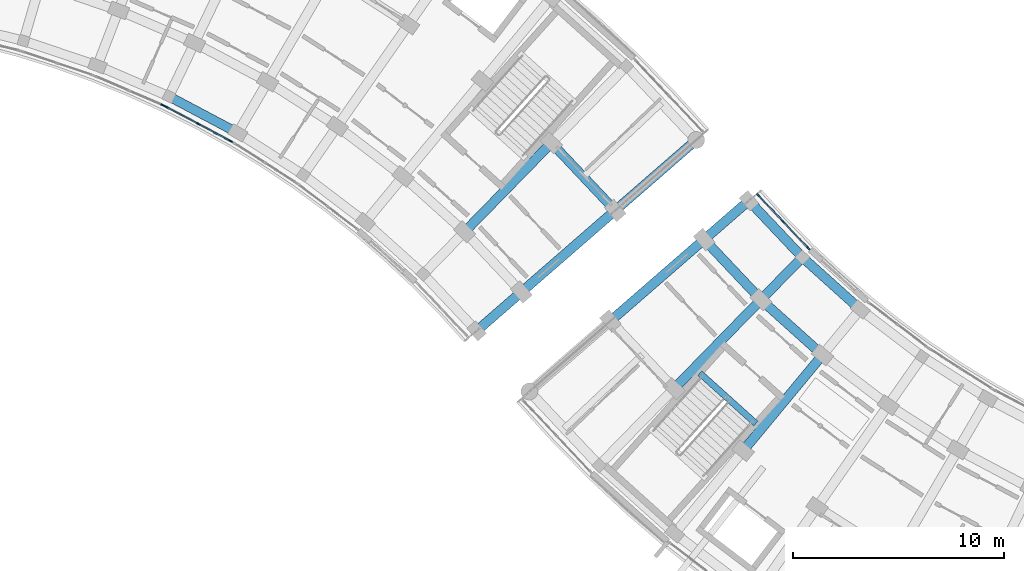
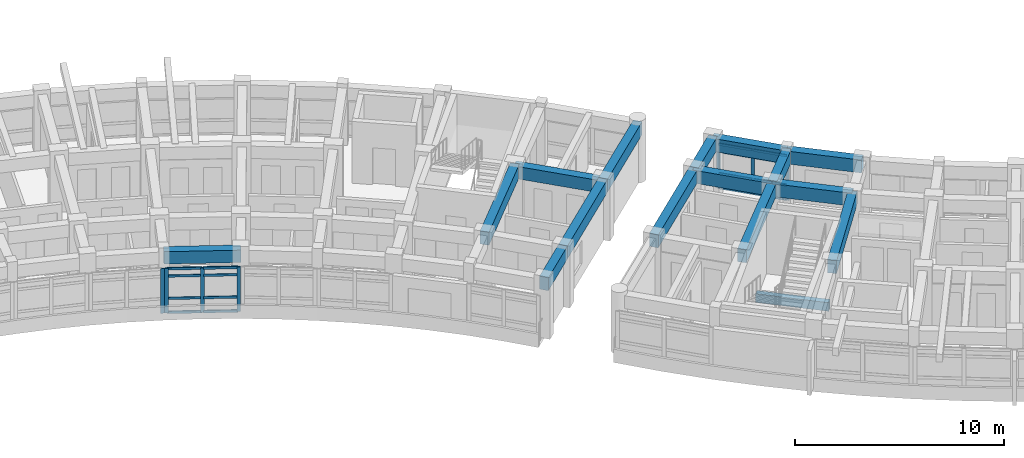
# One storey, part 30 of 83: 23 members, 16 beams, 3 elements without a shape of their own.
"""IFC4 building model written with IfcOpenShell, lengths in metres."""

import ifcopenshell
import ifcopenshell.guid

model = None  # the IFC model being written
_history = None  # IfcOwnerHistory: only IFC2X3 demands one
_inside = {}  # id of a spatial element -> (the spatial element, [elements in it])
_under = {}  # id of a project, library or spatial element -> (it, [spatial elements below it])
_declared = {}  # id of a project -> (the project, [libraries it declares])
_typed = {}  # id of a type object -> (the type object, [elements of that type])
_made_of = {}  # id of a material, layer set ... -> (it, [elements and type objects made of it])


def new_model(schema):
    """Start an empty IFC model of exactly this schema.

    Asked for "IFC4X3", IfcOpenShell would pick the latest addendum, in which some entities
    have other attributes; the version numbers below select the first issue.
    IFC2X3 requires an IfcOwnerHistory on every rooted entity: one is made here for all.
    """
    global model, _history
    if schema == "IFC4X3":
        model = ifcopenshell.file(schema_version=(4, 3, 0, 0))
    else:
        model = ifcopenshell.file(schema=schema)
    _inside.clear()
    _under.clear()
    _declared.clear()
    _typed.clear()
    _made_of.clear()
    _history = None
    if model.schema == "IFC2X3":
        org = make("IfcOrganization", Name="unknown")
        user = make(
            "IfcPersonAndOrganization",
            ThePerson=make("IfcPerson", FamilyName="unknown"),
            TheOrganization=org,
        )
        app = make(
            "IfcApplication",
            ApplicationDeveloper=org,
            Version="unknown",
            ApplicationFullName="unknown",
            ApplicationIdentifier="unknown",
        )
        _history = make(
            "IfcOwnerHistory",
            OwningUser=user,
            OwningApplication=app,
            ChangeAction="ADDED",
            CreationDate=0,
        )
    return model


def make(cls, **values):
    """One entity of the class cls with the attributes given. An attribute that is None is left unset."""
    return model.create_entity(
        cls, **{name: value for name, value in values.items() if value is not None}
    )


def rooted(cls, **values):
    """An entity with a GlobalId (a new one), such as an element, a storey or a relation."""
    return make(cls, GlobalId=ifcopenshell.guid.new(), OwnerHistory=_history, **values)


def si_unit(unit_type, name, prefix=None):
    """IfcSIUnit, for example si_unit("LENGTHUNIT", "METRE", prefix="MILLI")."""
    return make("IfcSIUnit", UnitType=unit_type, Prefix=prefix, Name=name)


def assignment(units):
    """IfcUnitAssignment: the units of a project."""
    return None if units is None else make("IfcUnitAssignment", Units=units)


def point(xyz):
    """IfcCartesianPoint."""
    return None if xyz is None else make("IfcCartesianPoint", Coordinates=xyz)


def direction(xyz):
    """IfcDirection."""
    return None if xyz is None else make("IfcDirection", DirectionRatios=xyz)


def frame(location, z_axis=None, x_axis=None):
    """IfcAxis2Placement3D, a coordinate frame: its origin and axes. An axis left out is left unset."""
    return make(
        "IfcAxis2Placement3D",
        Location=point(location),
        Axis=direction(z_axis),
        RefDirection=direction(x_axis),
    )


def frame_2d(location, x_axis=None):
    """IfcAxis2Placement2D, a coordinate frame in the plane: its origin and x axis."""
    return make(
        "IfcAxis2Placement2D", Location=point(location), RefDirection=direction(x_axis)
    )


def origin():
    """The frame at (0, 0, 0) with its axes left unset."""
    return frame((0.0, 0.0, 0.0))


def origin_2d():
    """The frame at (0, 0) in the plane with its x axis left unset."""
    return frame_2d((0.0, 0.0))


def place(relative_to, where):
    """IfcLocalPlacement: puts the frame where relative to a parent placement (None: the world)."""
    return make(
        "IfcLocalPlacement", PlacementRelTo=relative_to, RelativePlacement=where
    )


def context(
    kind, dimensions, precision=None, world=None, true_north=None, identifier=None
):
    """IfcGeometricRepresentationContext, for example the 3D "Model" context."""
    return make(
        "IfcGeometricRepresentationContext",
        ContextIdentifier=identifier,
        ContextType=kind,
        CoordinateSpaceDimension=dimensions,
        Precision=precision,
        WorldCoordinateSystem=world,
        TrueNorth=true_north,
    )


def subcontext(parent, identifier, kind, view, scale=None):
    """IfcGeometricRepresentationSubContext, for example "Body" below "Model"."""
    return make(
        "IfcGeometricRepresentationSubContext",
        ContextIdentifier=identifier,
        ContextType=kind,
        ParentContext=parent,
        TargetScale=scale,
        TargetView=view,
    )


def project(units=None, contexts=None):
    """IfcProject with its units and contexts."""
    return rooted(
        "IfcProject",
        Name="project",
        RepresentationContexts=contexts,
        UnitsInContext=assignment(units),
    )


def spatial(cls, under=None, at=None, **own):
    """A site, building, storey or space (cls), placed at a placement, below another one or the project."""
    s = rooted(cls, ObjectPlacement=at, **own)
    if under is not None:
        _under.setdefault(under.id(), (under, []))[1].append(s)
    return s


def profile(cls, at=None, kind="AREA", **sizes):
    """A parametric profile (cls). Its sizes go by their IFC names, for example OverallWidth=200.0."""
    return make(cls, ProfileType=kind, Position=at, **sizes)


def rectangle(**sizes):
    """IfcRectangleProfileDef."""
    return profile("IfcRectangleProfileDef", **sizes)


def extrude(swept, where, along, depth):
    """IfcExtrudedAreaSolid: the profile swept, set in the frame where, extruded along a direction by depth."""
    return make(
        "IfcExtrudedAreaSolid",
        SweptArea=swept,
        Position=where,
        ExtrudedDirection=direction(along),
        Depth=depth,
    )


def shape(context_of_items, identifier, shape_type, items):
    """IfcShapeRepresentation: the items that make up one representation, for example the "Body"."""
    return make(
        "IfcShapeRepresentation",
        ContextOfItems=context_of_items,
        RepresentationIdentifier=identifier,
        RepresentationType=shape_type,
        Items=items,
    )


def material(Name=None, Category=None):
    """IfcMaterial."""
    return make("IfcMaterial", Name=Name, Category=Category)


def material_profile(
    of_material, cross_section, Name=None, Category=None, Priority=None
):
    """IfcMaterialProfile: a cross section and its material."""
    return make(
        "IfcMaterialProfile",
        Name=Name,
        Material=of_material,
        Profile=cross_section,
        Priority=Priority,
        Category=Category,
    )


def profile_set(profiles, Name=None, composite=None):
    """IfcMaterialProfileSet."""
    return make(
        "IfcMaterialProfileSet",
        Name=Name,
        MaterialProfiles=profiles,
        CompositeProfile=composite,
    )


def made_of(thing, what):
    """Note that an element or type object is made of a material, layer set ...; save() writes the relation."""
    if what is not None:
        _made_of.setdefault(what.id(), (what, []))[1].append(thing)
    return thing


def type_object(cls, material=None, **own):
    """A type object (cls), such as IfcWallType, which elements share."""
    return made_of(rooted(cls, **own), material)


def element(
    cls,
    number,
    at=None,
    inside=None,
    cuts=None,
    type_object=None,
    material=None,
    context=None,
    identifier="Body",
    shape_type=None,
    held_by="IfcProductDefinitionShape",
    body=None,
    shapes=None,
    **own,
):
    """One element of the class cls, such as IfcWall. Its Tag is "e" and its number.

    at: its placement. inside: the storey or other place that contains it. cuts: it is an
    opening in that element (IfcRelVoidsElement). A single representation is given by context,
    identifier, shape_type and body (its items); several are given by shapes. held_by: the class
    of the entity that holds the representations. save() writes the other relations.
    """
    e = rooted(cls, Tag="e%d" % number, ObjectPlacement=at, **own)
    if body is not None:
        shapes = [shape(context, identifier, shape_type, body)]
    if shapes is not None:
        e.Representation = make(held_by, Representations=shapes)
    if inside is not None:
        _inside.setdefault(inside.id(), (inside, []))[1].append(e)
    if cuts is not None:
        rooted(
            "IfcRelVoidsElement", RelatingBuildingElement=cuts, RelatedOpeningElement=e
        )
    if type_object is not None:
        _typed.setdefault(type_object.id(), (type_object, []))[1].append(e)
    return made_of(e, material)


def aggregate(whole, parts):
    """IfcRelAggregates: a whole, such as a stair, and the parts it consists of."""
    return rooted("IfcRelAggregates", RelatingObject=whole, RelatedObjects=parts)


def save(model, path):
    """Write the relations noted so far, then the file.

    IfcRelAggregates (storeys below a building ...), IfcRelContainedInSpatialStructure (elements
    in a storey), IfcRelDefinesByType, IfcRelAssociatesMaterial and IfcRelDeclares: one each for
    every whole, place, type object, material and project.
    """
    for whole, parts in _under.values():
        aggregate(whole, parts)
    for where, things in _inside.values():
        rooted(
            "IfcRelContainedInSpatialStructure",
            RelatedElements=things,
            RelatingStructure=where,
        )
    for kind, things in _typed.values():
        rooted("IfcRelDefinesByType", RelatedObjects=things, RelatingType=kind)
    for what, things in _made_of.values():
        rooted("IfcRelAssociatesMaterial", RelatedObjects=things, RelatingMaterial=what)
    for by, libraries in _declared.values():
        rooted("IfcRelDeclares", RelatingContext=by, RelatedDefinitions=libraries)
    model.write(path)


model = new_model("IFC4")

# Units and contexts
model_context = context("Model", 3, precision=1e-05, world=origin(), true_north=direction((0.0, 1.0)))
body_context = subcontext(model_context, "Body", "Model", "MODEL_VIEW")
ifc_project = project(units=[si_unit("LENGTHUNIT", "METRE"), si_unit("AREAUNIT", "SQUARE_METRE"), si_unit("VOLUMEUNIT", "CUBIC_METRE"), si_unit("PLANEANGLEUNIT", "RADIAN"), si_unit("MASSUNIT", "GRAM", prefix="KILO")], contexts=[model_context])

# Site, building, storey
site_placement = place(None, origin())
site = spatial("IfcSite", under=ifc_project, at=site_placement, CompositionType="ELEMENT")
building_placement = place(site_placement, origin())
building = spatial("IfcBuilding", under=site, at=building_placement, Name="Zimvara Arc Housing Community", CompositionType="ELEMENT")
storey_placement = place(building_placement, frame((0.0, 0.0, 4.5)))
storey = spatial("IfcBuildingStorey", under=building, at=storey_placement, Name="L01", CompositionType="ELEMENT", Elevation=4.5)

# Beams
ifc_material_1 = material(Name="Concrete C40/50", Category="concrete")
ifc_material_profile_1 = material_profile(ifc_material_1, rectangle(XDim=0.300048828125, YDim=0.5, at=origin_2d()), Name="RC 300x500")
ifc_profile_set_1 = profile_set([ifc_material_profile_1], Name="Concrete C40/50")
beam_type_1 = type_object("IfcBeamType", Name="BM-RC-300x500", PredefinedType="BEAM", material=ifc_profile_set_1)
beam_1_placement = place(storey_placement, frame((89.604248046875, 72.100830078125, -0.25), z_axis=(0.743396155404, -0.668851370732, 0.0), x_axis=(0.668851370732, 0.743396155404, 0.0)))
element("IfcBeam", 1, at=beam_1_placement, inside=storey, type_object=beam_type_1, Name="bm:stair_trim:ST-C1:L01:near", PredefinedType="BEAM", context=body_context, shape_type="SweptSolid", body=[
    extrude(rectangle(XDim=0.300048828125, YDim=0.5, at=origin_2d()), origin(), (0.0, 0.0, 1.0), 3.56982421875),
])
ifc_material_2 = material(Name="Concrete C40/50", Category="concrete")
ifc_material_profile_2 = material_profile(ifc_material_2, rectangle(XDim=0.43994140625, YDim=0.719970703125, at=origin_2d()), Name="RC 440x720")
ifc_profile_set_2 = profile_set([ifc_material_profile_2], Name="Concrete C40/50")
beam_type_2 = type_object("IfcBeamType", Name="BM-RC-440x720", PredefinedType="BEAM", material=ifc_profile_set_2)
beam_2_placement = place(storey_placement, frame((64.49560546875, 85.190673828125, 3.0), z_axis=(0.883449220086, -0.468526920815, 0.0), x_axis=(0.468526920815, 0.883449220086, 0.0)))
element("IfcBeam", 2, at=beam_2_placement, inside=storey, type_object=beam_type_2, Name="bm:blkB:L01:chord:r0:b5", PredefinedType="BEAM", context=body_context, shape_type="SweptSolid", body=[
    extrude(rectangle(XDim=0.43994140625, YDim=0.719970703125, at=origin_2d()), origin(), (0.0, 0.0, 1.0), 3.6845703125),
])
beam_3_placement = place(storey_placement, frame((82.588134765625, 82.9912109375, 3.0), z_axis=(0.686303637813, -0.727315142648, 0.0), x_axis=(0.727315142648, 0.686303637813, 0.0)))
element("IfcBeam", 3, at=beam_3_placement, inside=storey, type_object=beam_type_2, Name="bm:blkB:L01:chord:r2:b9", PredefinedType="BEAM", context=body_context, shape_type="SweptSolid", body=[
    extrude(rectangle(XDim=0.43994140625, YDim=0.719970703125, at=origin_2d()), origin(), (0.0, 0.0, 1.0), 4.393310546875),
])
ifc_material_3 = material(Name="Concrete C40/50", Category="concrete")
ifc_material_profile_3 = material_profile(ifc_material_3, rectangle(XDim=0.449951171875, YDim=0.75, at=origin_2d()), Name="RC 450x750")
ifc_profile_set_3 = profile_set([ifc_material_profile_3], Name="Concrete C40/50")
beam_type_3 = type_object("IfcBeamType", Name="BM-RC-450x750", PredefinedType="BEAM", material=ifc_profile_set_3)
beam_4_placement = place(storey_placement, frame((78.47998046875, 78.784423828125, 2.985107421875), z_axis=(0.698669844288, 0.715444231707, 0.0), x_axis=(-0.715444231707, 0.698669844288, 0.0)))
element("IfcBeam", 4, at=beam_4_placement, inside=storey, type_object=beam_type_3, Name="bm:blkB:L01:rad:b9:r12", PredefinedType="BEAM", context=body_context, shape_type="SweptSolid", body=[
    extrude(rectangle(XDim=0.449951171875, YDim=0.75, at=origin_2d()), origin(), (0.0, 0.0, 1.0), 5.8798828125),
])
beam_5_placement = place(storey_placement, frame((79.052490234375, 74.101318359375, 2.985107421875), z_axis=(0.754733151583, 0.656031912259, 0.0), x_axis=(-0.656031912259, 0.754733151583, 0.0)))
element("IfcBeam", 5, at=beam_5_placement, inside=storey, type_object=beam_type_3, Name="bm:blkB:L01:rad:b10:r01", PredefinedType="BEAM", context=body_context, shape_type="SweptSolid", body=[
    extrude(rectangle(XDim=0.449951171875, YDim=0.75, at=origin_2d()), origin(), (0.0, 0.0, 1.0), 2.800048828125),
])
beam_6_placement = place(storey_placement, frame((81.165771484375, 75.938232421875, 2.985107421875), z_axis=(0.754692223258, 0.656078995362, 0.0), x_axis=(-0.656078995362, 0.754692223258, 0.0)))
element("IfcBeam", 6, at=beam_6_placement, inside=storey, type_object=beam_type_3, Name="bm:blkB:L01:rad:b10:r12", PredefinedType="BEAM", context=body_context, shape_type="SweptSolid", body=[
    extrude(rectangle(XDim=0.449951171875, YDim=0.75, at=origin_2d()), origin(), (0.0, 0.0, 1.0), 5.8798828125),
])
beam_7_placement = place(storey_placement, frame((85.603271484375, 79.7958984375, 2.985107421875), z_axis=(0.754716217499, 0.656051393599, 0.0), x_axis=(-0.656051393599, 0.754716217499, 0.0)))
element("IfcBeam", 7, at=beam_7_placement, inside=storey, type_object=beam_type_3, Name="bm:blkB:L01:rad:b10:r23", PredefinedType="BEAM", context=body_context, shape_type="SweptSolid", body=[
    extrude(rectangle(XDim=0.449951171875, YDim=0.75, at=origin_2d()), origin(), (0.0, 0.0, 1.0), 5.080078125),
])
beam_8_placement = place(storey_placement, frame((91.927490234375, 80.258544921875, 2.985107421875), z_axis=(0.686335517678, -0.727285059088, 0.0), x_axis=(0.727285059088, 0.686335517678, 0.0)))
element("IfcBeam", 8, at=beam_8_placement, inside=storey, type_object=beam_type_3, Name="bm:blkC:L01:chord:r0:b0", PredefinedType="BEAM", context=body_context, shape_type="SweptSolid", body=[
    extrude(rectangle(XDim=0.449951171875, YDim=0.75, at=origin_2d()), origin(), (0.0, 0.0, 1.0), 3.6845703125),
])
beam_9_placement = place(storey_placement, frame((94.456298828125, 77.578857421875, 2.985107421875), z_axis=(0.743366631239, -0.668884183966, 0.0), x_axis=(0.668884183966, 0.743366631239, 0.0)))
element("IfcBeam", 9, at=beam_9_placement, inside=storey, type_object=beam_type_3, Name="bm:blkC:L01:chord:r0:b1", PredefinedType="BEAM", context=body_context, shape_type="SweptSolid", body=[
    extrude(rectangle(XDim=0.449951171875, YDim=0.75, at=origin_2d()), origin(), (0.0, 0.0, 1.0), 3.684326171875),
])
for number, where, z_axis, x_axis, name in (
    (10, (89.814208984375, 78.421630859375, 2.985107421875), (0.686346852505, -0.727274362299, 0.0), (0.727274362299, 0.686346852505, 0.0), "bm:blkC:L01:chord:r1:b0"),
    (11, (92.5, 75.57568359375, 2.985107421875), (0.743371697344, -0.668878553691, 0.0), (0.668878553691, 0.743371697344, 0.0), "bm:blkC:L01:chord:r1:b1"),
):
    element("IfcBeam", number, at=place(storey_placement, frame(where, z_axis=z_axis, x_axis=x_axis)), inside=storey, type_object=beam_type_3, Name=name, PredefinedType="BEAM", context=body_context, shape_type="SweptSolid", body=[
        extrude(rectangle(XDim=0.449951171875, YDim=0.75, at=origin_2d()), origin(), (0.0, 0.0, 1.0), 3.9130859375),
    ])
beam_10_placement = place(storey_placement, frame((91.927490234375, 80.258544921875, 2.985107421875), z_axis=(-0.754733151583, -0.656031912259, 0.0), x_axis=(0.656031912259, -0.754733151583, 0.0)))
element("IfcBeam", 12, at=beam_10_placement, inside=storey, type_object=beam_type_3, Name="bm:blkC:L01:rad:b0:r01", PredefinedType="BEAM", context=body_context, shape_type="SweptSolid", body=[
    extrude(rectangle(XDim=0.449951171875, YDim=0.75, at=origin_2d()), origin(), (0.0, 0.0, 1.0), 2.800048828125),
])
beam_11_placement = place(storey_placement, frame((89.814208984375, 78.421630859375, 2.985107421875), z_axis=(-0.754692223258, -0.656078995362, 0.0), x_axis=(0.656078995362, -0.754692223258, 0.0)))
element("IfcBeam", 13, at=beam_11_placement, inside=storey, type_object=beam_type_3, Name="bm:blkC:L01:rad:b0:r12", PredefinedType="BEAM", context=body_context, shape_type="SweptSolid", body=[
    extrude(rectangle(XDim=0.449951171875, YDim=0.75, at=origin_2d()), origin(), (0.0, 0.0, 1.0), 5.8798828125),
])
beam_12_placement = place(storey_placement, frame((94.456298828125, 77.578857421875, 2.985107421875), z_axis=(-0.69868659732, -0.715427871085, 0.0), x_axis=(0.715427871085, -0.69868659732, 0.0)))
element("IfcBeam", 14, at=beam_12_placement, inside=storey, type_object=beam_type_3, Name="bm:blkC:L01:rad:b1:r01", PredefinedType="BEAM", context=body_context, shape_type="SweptSolid", body=[
    extrude(rectangle(XDim=0.449951171875, YDim=0.75, at=origin_2d()), origin(), (0.0, 0.0, 1.0), 2.800048828125),
])
for number, where, z_axis, x_axis, name in (
    (15, (92.5, 75.57568359375, 2.985107421875), (-0.698669844288, -0.715444231707, 0.0), (0.715444231707, -0.698669844288, 0.0), "bm:blkC:L01:rad:b1:r12"),
    (16, (95.408935546875, 72.958251953125, 2.985107421875), (-0.637976362518, -0.770055946583, 0.0), (0.770055946583, -0.637976362518, 0.0), "bm:blkC:L01:rad:b2:r12"),
):
    element("IfcBeam", number, at=place(storey_placement, frame(where, z_axis=z_axis, x_axis=x_axis)), inside=storey, type_object=beam_type_3, Name=name, PredefinedType="BEAM", context=body_context, shape_type="SweptSolid", body=[
        extrude(rectangle(XDim=0.449951171875, YDim=0.75, at=origin_2d()), origin(), (0.0, 0.0, 1.0), 5.8798828125),
    ])

# Curtain wall, member
ifc_material_4 = material(Name="Anodised Aluminium AW-6063", Category="aluminium")
curtain_wall_type_1 = type_object("IfcCurtainWallType", Name="CW-SYS-08", PredefinedType="USERDEFINED", material=ifc_material_4)
curtain_wall_1_placement = place(storey_placement, origin())
curtain_wall_1 = element("IfcCurtainWall", 17, at=curtain_wall_1_placement, inside=storey, type_object=curtain_wall_type_1, Name="cw:blkB:L01:in:b4", ObjectType="CURTAIN WALL", PredefinedType="USERDEFINED")
ifc_material_5 = material(Name="Anodised Aluminium AW-6063", Category="aluminium")
ifc_material_profile_4 = material_profile(ifc_material_5, rectangle(XDim=0.06494140625, YDim=0.179931640625, at=origin_2d()), Name="ALU 65x180")
ifc_profile_set_4 = profile_set([ifc_material_profile_4], Name="Anodised Aluminium AW-6063")
member_type_1 = type_object("IfcMemberType", Name="CWM-65x150", PredefinedType="MULLION", material=ifc_profile_set_4)
member_1_placement = place(storey_placement, frame((64.194580078125, 84.7763671875, 0.0), z_axis=(0.0, 0.0, 1.0), x_axis=(0.394904493375, 0.918722178415, 0.0)))
member_1 = element("IfcMember", 18, at=member_1_placement, type_object=member_type_1, Name="CW08 mullion 3", PredefinedType="MULLION", context=body_context, shape_type="SweptSolid", body=[
    extrude(rectangle(XDim=0.06494140625, YDim=0.179931640625, at=origin_2d()), origin(), (0.0, 0.0, 1.0), 2.60009765625),
])
aggregate(curtain_wall_1, [member_1])

# Curtain wall, members
ifc_material_6 = material(Name="Anodised Aluminium AW-6063", Category="aluminium")
curtain_wall_type_2 = type_object("IfcCurtainWallType", Name="CW-SYS-02", PredefinedType="USERDEFINED", material=ifc_material_6)
curtain_wall_2_placement = place(storey_placement, origin())
curtain_wall_2 = element("IfcCurtainWall", 19, at=curtain_wall_2_placement, inside=storey, type_object=curtain_wall_type_2, Name="cw:blkB:L01:in:b5", ObjectType="CURTAIN WALL", PredefinedType="USERDEFINED")
member_2_placement = place(storey_placement, frame((64.361328125, 84.696533203125, 0.0), z_axis=(0.0, 0.0, 1.0), x_axis=(0.468544648573, 0.88343981815, 0.0)))
member_2 = element("IfcMember", 20, at=member_2_placement, type_object=member_type_1, Name="CW02 mullion 1", PredefinedType="MULLION", context=body_context, shape_type="SweptSolid", body=[
    extrude(rectangle(XDim=0.06494140625, YDim=0.179931640625, at=origin_2d()), origin(), (0.0, 0.0, 1.0), 2.60009765625),
])
member_3_placement = place(storey_placement, frame((65.88916015625, 83.88623046875, 0.0), z_axis=(0.0, 0.0, 1.0), x_axis=(0.468544648573, 0.88343981815, 0.0)))
member_3 = element("IfcMember", 21, at=member_3_placement, type_object=member_type_1, Name="CW02 mullion 2", PredefinedType="MULLION", context=body_context, shape_type="SweptSolid", body=[
    extrude(rectangle(XDim=0.06494140625, YDim=0.179931640625, at=origin_2d()), origin(), (0.0, 0.0, 1.0), 2.60009765625),
])
member_4_placement = place(storey_placement, frame((67.416748046875, 83.075927734375, 0.0), z_axis=(0.0, 0.0, 1.0), x_axis=(0.468544648573, 0.88343981815, 0.0)))
member_4 = element("IfcMember", 22, at=member_4_placement, type_object=member_type_1, Name="CW02 mullion 3", PredefinedType="MULLION", context=body_context, shape_type="SweptSolid", body=[
    extrude(rectangle(XDim=0.06494140625, YDim=0.179931640625, at=origin_2d()), origin(), (0.0, 0.0, 1.0), 2.60009765625),
])

ifc_material_7 = material(Name="Anodised Aluminium AW-6063", Category="aluminium")
curtain_wall_type_3 = type_object("IfcCurtainWallType", Name="CW-SYS-06", PredefinedType="USERDEFINED", material=ifc_material_7)
curtain_wall_3_placement = place(storey_placement, origin())
curtain_wall_3 = element("IfcCurtainWall", 23, at=curtain_wall_3_placement, inside=storey, type_object=curtain_wall_type_3, Name="cw:blkC:L01:in:b0", ObjectType="CURTAIN WALL", PredefinedType="USERDEFINED")
member_5_placement = place(storey_placement, frame((92.368408203125, 80.519287109375, 0.0), z_axis=(0.0, 0.0, 1.0), x_axis=(0.727293280483, 0.686326805658, 0.0)))
member_5 = element("IfcMember", 24, at=member_5_placement, type_object=member_type_1, Name="CW06 mullion 1", PredefinedType="MULLION", context=body_context, shape_type="SweptSolid", body=[
    extrude(rectangle(XDim=0.06494140625, YDim=0.179931640625, at=origin_2d()), origin(), (0.0, 0.0, 1.0), 2.60009765625),
])
member_6_placement = place(storey_placement, frame((93.55517578125, 79.26171875, 0.0), z_axis=(0.0, 0.0, 1.0), x_axis=(0.727293280483, 0.686326805658, 0.0)))
member_6 = element("IfcMember", 25, at=member_6_placement, type_object=member_type_1, Name="CW06 mullion 2", PredefinedType="MULLION", context=body_context, shape_type="SweptSolid", body=[
    extrude(rectangle(XDim=0.06494140625, YDim=0.179931640625, at=origin_2d()), origin(), (0.0, 0.0, 1.0), 2.60009765625),
])
member_7_placement = place(storey_placement, frame((94.7421875, 78.00390625, 0.0), z_axis=(0.0, 0.0, 1.0), x_axis=(0.727293280483, 0.686326805658, 0.0)))
member_7 = element("IfcMember", 26, at=member_7_placement, type_object=member_type_1, Name="CW06 mullion 3", PredefinedType="MULLION", context=body_context, shape_type="SweptSolid", body=[
    extrude(rectangle(XDim=0.06494140625, YDim=0.179931640625, at=origin_2d()), origin(), (0.0, 0.0, 1.0), 2.60009765625),
])

# Member
ifc_material_8 = material(Name="Anodised Aluminium AW-6063", Category="aluminium")
ifc_material_profile_5 = material_profile(ifc_material_8, rectangle(XDim=0.06494140625, YDim=0.139892578125, at=origin_2d()), Name="ALU 65x140")
ifc_profile_set_5 = profile_set([ifc_material_profile_5], Name="Anodised Aluminium AW-6063")
member_type_2 = type_object("IfcMemberType", Name="CWT-65x120", PredefinedType="USERDEFINED", material=ifc_profile_set_5)
member_8_placement = place(storey_placement, frame((64.39013671875, 84.68115234375, 0.032470703125), z_axis=(0.8834308201, -0.468561613982, 0.0), x_axis=(0.468561613982, 0.8834308201, 0.0)))
member_8 = element("IfcMember", 27, at=member_8_placement, type_object=member_type_2, Name="CW02 transom 1.1", ObjectType="TRANSOM", PredefinedType="USERDEFINED", context=body_context, shape_type="SweptSolid", body=[
    extrude(rectangle(XDim=0.06494140625, YDim=0.139892578125, at=origin_2d()), origin(), (0.0, 0.0, 1.0), 1.664306640625),
])

member_9_placement = place(storey_placement, frame((64.39013671875, 84.68115234375, 0.85009765625), z_axis=(0.8834308201, -0.468561613982, 0.0), x_axis=(0.468561613982, 0.8834308201, 0.0)))
member_9 = element("IfcMember", 28, at=member_9_placement, type_object=member_type_2, Name="CW02 transom 1.2", ObjectType="TRANSOM", PredefinedType="USERDEFINED", context=body_context, shape_type="SweptSolid", body=[
    extrude(rectangle(XDim=0.06494140625, YDim=0.139892578125, at=origin_2d()), origin(), (0.0, 0.0, 1.0), 1.664306640625),
])

member_10_placement = place(storey_placement, frame((64.39013671875, 84.68115234375, 2.14990234375), z_axis=(0.8834308201, -0.468561613982, 0.0), x_axis=(0.468561613982, 0.8834308201, 0.0)))
member_10 = element("IfcMember", 29, at=member_10_placement, type_object=member_type_2, Name="CW02 transom 1.3", ObjectType="TRANSOM", PredefinedType="USERDEFINED", context=body_context, shape_type="SweptSolid", body=[
    extrude(rectangle(XDim=0.06494140625, YDim=0.139892578125, at=origin_2d()), origin(), (0.0, 0.0, 1.0), 1.664306640625),
])

member_11_placement = place(storey_placement, frame((64.39013671875, 84.68115234375, 2.5673828125), z_axis=(0.8834308201, -0.468561613982, 0.0), x_axis=(0.468561613982, 0.8834308201, 0.0)))
member_11 = element("IfcMember", 30, at=member_11_placement, type_object=member_type_2, Name="CW02 transom 1.4", ObjectType="TRANSOM", PredefinedType="USERDEFINED", context=body_context, shape_type="SweptSolid", body=[
    extrude(rectangle(XDim=0.06494140625, YDim=0.139892578125, at=origin_2d()), origin(), (0.0, 0.0, 1.0), 1.664306640625),
])

member_12_placement = place(storey_placement, frame((65.917724609375, 83.870849609375, 0.032470703125), z_axis=(0.883463021947, -0.468500895252, 0.0), x_axis=(0.468500895252, 0.883463021947, 0.0)))
member_12 = element("IfcMember", 31, at=member_12_placement, type_object=member_type_2, Name="CW02 transom 2.1", ObjectType="TRANSOM", PredefinedType="USERDEFINED", context=body_context, shape_type="SweptSolid", body=[
    extrude(rectangle(XDim=0.06494140625, YDim=0.139892578125, at=origin_2d()), origin(), (0.0, 0.0, 1.0), 1.664306640625),
])

member_13_placement = place(storey_placement, frame((65.917724609375, 83.870849609375, 0.85009765625), z_axis=(0.883463021947, -0.468500895252, 0.0), x_axis=(0.468500895252, 0.883463021947, 0.0)))
member_13 = element("IfcMember", 32, at=member_13_placement, type_object=member_type_2, Name="CW02 transom 2.2", ObjectType="TRANSOM", PredefinedType="USERDEFINED", context=body_context, shape_type="SweptSolid", body=[
    extrude(rectangle(XDim=0.06494140625, YDim=0.139892578125, at=origin_2d()), origin(), (0.0, 0.0, 1.0), 1.664306640625),
])

member_14_placement = place(storey_placement, frame((65.917724609375, 83.870849609375, 2.14990234375), z_axis=(0.883463021947, -0.468500895252, 0.0), x_axis=(0.468500895252, 0.883463021947, 0.0)))
member_14 = element("IfcMember", 33, at=member_14_placement, type_object=member_type_2, Name="CW02 transom 2.3", ObjectType="TRANSOM", PredefinedType="USERDEFINED", context=body_context, shape_type="SweptSolid", body=[
    extrude(rectangle(XDim=0.06494140625, YDim=0.139892578125, at=origin_2d()), origin(), (0.0, 0.0, 1.0), 1.664306640625),
])

member_15_placement = place(storey_placement, frame((65.917724609375, 83.870849609375, 2.5673828125), z_axis=(0.883463021947, -0.468500895252, 0.0), x_axis=(0.468500895252, 0.883463021947, 0.0)))
member_15 = element("IfcMember", 34, at=member_15_placement, type_object=member_type_2, Name="CW02 transom 2.4", ObjectType="TRANSOM", PredefinedType="USERDEFINED", context=body_context, shape_type="SweptSolid", body=[
    extrude(rectangle(XDim=0.06494140625, YDim=0.139892578125, at=origin_2d()), origin(), (0.0, 0.0, 1.0), 1.664306640625),
])

aggregate(curtain_wall_2, [member_2, member_3, member_4, member_8, member_9, member_10, member_11, member_12, member_13, member_14, member_15])

member_16_placement = place(storey_placement, frame((92.390625, 80.495849609375, 0.032470703125), z_axis=(0.686347817597, -0.727273451516, 0.0), x_axis=(0.727273451516, 0.686347817597, 0.0)))
member_16 = element("IfcMember", 35, at=member_16_placement, type_object=member_type_2, Name="CW06 transom 1.1", ObjectType="TRANSOM", PredefinedType="USERDEFINED", context=body_context, shape_type="SweptSolid", body=[
    extrude(rectangle(XDim=0.06494140625, YDim=0.139892578125, at=origin_2d()), origin(), (0.0, 0.0, 1.0), 1.664306640625),
])

member_17_placement = place(storey_placement, frame((92.390625, 80.495849609375, 0.85009765625), z_axis=(0.686347817597, -0.727273451516, 0.0), x_axis=(0.727273451516, 0.686347817597, 0.0)))
member_17 = element("IfcMember", 36, at=member_17_placement, type_object=member_type_2, Name="CW06 transom 1.2", ObjectType="TRANSOM", PredefinedType="USERDEFINED", context=body_context, shape_type="SweptSolid", body=[
    extrude(rectangle(XDim=0.06494140625, YDim=0.139892578125, at=origin_2d()), origin(), (0.0, 0.0, 1.0), 1.664306640625),
])

member_18_placement = place(storey_placement, frame((92.390625, 80.495849609375, 2.14990234375), z_axis=(0.686347817597, -0.727273451516, 0.0), x_axis=(0.727273451516, 0.686347817597, 0.0)))
member_18 = element("IfcMember", 37, at=member_18_placement, type_object=member_type_2, Name="CW06 transom 1.3", ObjectType="TRANSOM", PredefinedType="USERDEFINED", context=body_context, shape_type="SweptSolid", body=[
    extrude(rectangle(XDim=0.06494140625, YDim=0.139892578125, at=origin_2d()), origin(), (0.0, 0.0, 1.0), 1.664306640625),
])

member_19_placement = place(storey_placement, frame((92.390625, 80.495849609375, 2.5673828125), z_axis=(0.686347817597, -0.727273451516, 0.0), x_axis=(0.727273451516, 0.686347817597, 0.0)))
member_19 = element("IfcMember", 38, at=member_19_placement, type_object=member_type_2, Name="CW06 transom 1.4", ObjectType="TRANSOM", PredefinedType="USERDEFINED", context=body_context, shape_type="SweptSolid", body=[
    extrude(rectangle(XDim=0.06494140625, YDim=0.139892578125, at=origin_2d()), origin(), (0.0, 0.0, 1.0), 1.664306640625),
])

member_20_placement = place(storey_placement, frame((93.57763671875, 79.238037109375, 0.032470703125), z_axis=(0.686270219286, -0.727346675335, 0.0), x_axis=(0.727346675335, 0.686270219286, 0.0)))
member_20 = element("IfcMember", 39, at=member_20_placement, type_object=member_type_2, Name="CW06 transom 2.1", ObjectType="TRANSOM", PredefinedType="USERDEFINED", context=body_context, shape_type="SweptSolid", body=[
    extrude(rectangle(XDim=0.06494140625, YDim=0.139892578125, at=origin_2d()), origin(), (0.0, 0.0, 1.0), 1.664306640625),
])

member_21_placement = place(storey_placement, frame((93.57763671875, 79.238037109375, 0.85009765625), z_axis=(0.686270219286, -0.727346675335, 0.0), x_axis=(0.727346675335, 0.686270219286, 0.0)))
member_21 = element("IfcMember", 40, at=member_21_placement, type_object=member_type_2, Name="CW06 transom 2.2", ObjectType="TRANSOM", PredefinedType="USERDEFINED", context=body_context, shape_type="SweptSolid", body=[
    extrude(rectangle(XDim=0.06494140625, YDim=0.139892578125, at=origin_2d()), origin(), (0.0, 0.0, 1.0), 1.664306640625),
])

member_22_placement = place(storey_placement, frame((93.57763671875, 79.238037109375, 2.14990234375), z_axis=(0.686270219286, -0.727346675335, 0.0), x_axis=(0.727346675335, 0.686270219286, 0.0)))
member_22 = element("IfcMember", 41, at=member_22_placement, type_object=member_type_2, Name="CW06 transom 2.3", ObjectType="TRANSOM", PredefinedType="USERDEFINED", context=body_context, shape_type="SweptSolid", body=[
    extrude(rectangle(XDim=0.06494140625, YDim=0.139892578125, at=origin_2d()), origin(), (0.0, 0.0, 1.0), 1.664306640625),
])

member_23_placement = place(storey_placement, frame((93.57763671875, 79.238037109375, 2.5673828125), z_axis=(0.686270219286, -0.727346675335, 0.0), x_axis=(0.727346675335, 0.686270219286, 0.0)))
member_23 = element("IfcMember", 42, at=member_23_placement, type_object=member_type_2, Name="CW06 transom 2.4", ObjectType="TRANSOM", PredefinedType="USERDEFINED", context=body_context, shape_type="SweptSolid", body=[
    extrude(rectangle(XDim=0.06494140625, YDim=0.139892578125, at=origin_2d()), origin(), (0.0, 0.0, 1.0), 1.664306640625),
])

aggregate(curtain_wall_3, [member_5, member_6, member_7, member_16, member_17, member_18, member_19, member_20, member_21, member_22, member_23])

save(model, "model.ifc")
